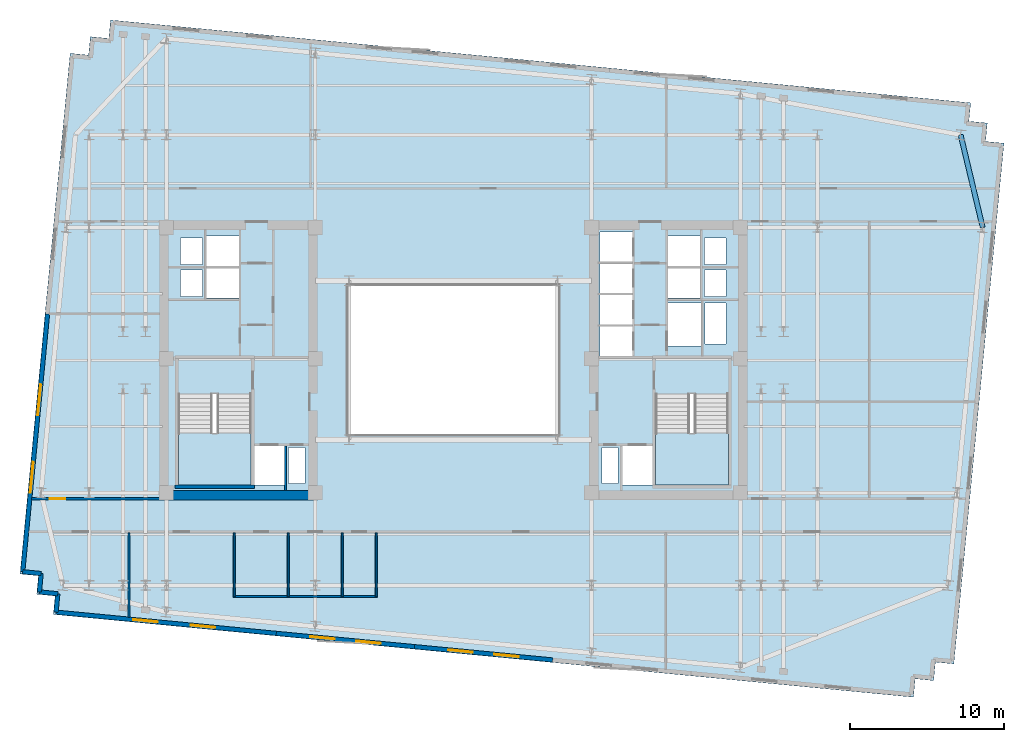
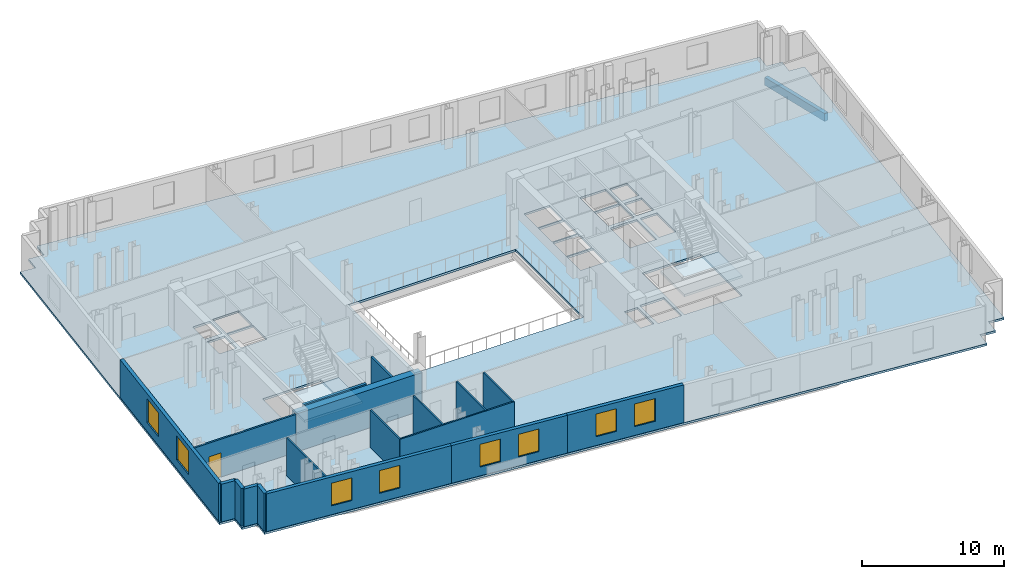
# One storey, part 3 of 9: 18 walls, 8 windows, 3 slabs, 1 beam, 1 door, 9 openings, 2 elements without a shape of their own.
"""IFC4 building model written with IfcOpenShell, lengths in metres."""

from ifc_helpers import new_model, si_unit, direction, frame, frame_2d, origin, origin_2d, place, context, subcontext, project, spatial, polyline, rectangle, outline, extrude, material, layer, layer_set, material_profile, profile_set, type_object, element, fill, aggregate, save


model = new_model("IFC4")

# Units and contexts
model_context = context("Model", 3, precision=1e-05, world=origin(), true_north=direction((0.0, 1.0)))
body_context = subcontext(model_context, "Body", "Model", "MODEL_VIEW")
ifc_project = project(units=[si_unit("LENGTHUNIT", "METRE"), si_unit("AREAUNIT", "SQUARE_METRE"), si_unit("VOLUMEUNIT", "CUBIC_METRE"), si_unit("PLANEANGLEUNIT", "RADIAN"), si_unit("MASSUNIT", "GRAM", prefix="KILO")], contexts=[model_context])

# Site, building, storey
site_placement = place(None, origin())
site = spatial("IfcSite", under=ifc_project, at=site_placement, CompositionType="ELEMENT")
building_placement = place(site_placement, origin())
building = spatial("IfcBuilding", under=site, at=building_placement, Name="Velakula Bourse", CompositionType="ELEMENT")
storey_placement = place(building_placement, frame((0.0, 0.0, 167.300048828125)))
storey = spatial("IfcBuildingStorey", under=building, at=storey_placement, Name="L45", CompositionType="ELEMENT", Elevation=167.300048828125)

# Beam
ifc_material_1 = material(Name="Precast concrete M45 (fck 45 MPa)", Category="concrete")
ifc_material_profile = material_profile(ifc_material_1, rectangle(XDim=0.320068359375, YDim=0.679931640625, at=origin_2d()), Name="Precast concrete M45 (fck 45 MPa)")
ifc_profile_set = profile_set([ifc_material_profile], Name="Precast concrete M45 (fck 45 MPa)")
beam_type = type_object("IfcBeamType", Name="SPN-BRICK-680", PredefinedType="SPANDREL", material=ifc_profile_set)
beam_placement = place(storey_placement, frame((34.30517578125, 8.60009765625, -0.52001953125), z_axis=(-0.232091371601, 0.972693988482, 0.0), x_axis=(-0.972693988482, -0.232091371601, 0.0)))
element("IfcBeam", 1, at=beam_placement, inside=storey, type_object=beam_type, Name="L45 Brick-Faced Precast Spandrel E3-E4", PredefinedType="SPANDREL", context=body_context, shape_type="SweptSolid", body=[
    extrude(rectangle(XDim=0.320068359375, YDim=0.679931640625, at=origin_2d()), origin(), (0.0, 0.0, 1.0), 6.16845703125),
])

# Stair, slab
ifc_material_2 = material(Name="Concrete M45 (fck 45 MPa)", Category="concrete")
stair_type = type_object("IfcStairType", Name="STR-DOG-390", PredefinedType="HALF_TURN_STAIR", material=ifc_material_2)
stair_1_placement = place(storey_placement, origin())
stair_1 = element("IfcStair", 2, at=stair_1_placement, inside=storey, type_object=stair_type, Name="L45 West Core Exit Stair ST-W1", PredefinedType="HALF_TURN_STAIR")
ifc_layer_1 = layer(ifc_material_2, 0.199951171875, Name="Concrete M45 (fck 45 MPa)", Category="concrete")
ifc_layer_set_1 = layer_set([ifc_layer_1], Name="Concrete M45 (fck 45 MPa)")
slab_type_1 = type_object("IfcSlabType", Name="SLB-STAIR-LND-200", PredefinedType="LANDING", material=ifc_layer_set_1)
slab_1_placement = place(storey_placement, frame((0.0, 0.0, 1.52490234375)))
slab_1 = element("IfcSlab", 3, at=slab_1_placement, type_object=slab_type_1, Name="ST-W1 landing 1", PredefinedType="LANDING", context=body_context, shape_type="SweptSolid", body=[
    extrude(outline(polyline([(-17.820068359375, -4.719970703125), (-17.820068359375, -8.10009765625), (-13.10009765625, -8.10009765625), (-13.10009765625, -4.719970703125), (-17.820068359375, -4.719970703125)])), origin(), (0.0, 0.0, 1.0), 0.199951171875),
])
aggregate(stair_1, [slab_1])

stair_2_placement = place(storey_placement, origin())
stair_2 = element("IfcStair", 4, at=stair_2_placement, inside=storey, type_object=stair_type, Name="L45 East Core Exit Stair ST-E1", PredefinedType="HALF_TURN_STAIR")
slab_2_placement = place(storey_placement, frame((0.0, 0.0, 1.52490234375)))
slab_2 = element("IfcSlab", 5, at=slab_2_placement, type_object=slab_type_1, Name="ST-E1 landing 1", PredefinedType="LANDING", context=body_context, shape_type="SweptSolid", body=[
    extrude(outline(polyline([(13.10009765625, -4.719970703125), (13.10009765625, -8.10009765625), (17.820068359375, -8.10009765625), (17.820068359375, -4.719970703125), (13.10009765625, -4.719970703125)])), origin(), (0.0, 0.0, 1.0), 0.199951171875),
])
aggregate(stair_2, [slab_2])

# Slab
ifc_material_3 = material(Name="Concrete M50 (fck 50 MPa)", Category="concrete")
ifc_layer_2 = layer(ifc_material_3, 0.179931640625, Name="Concrete M50 (fck 50 MPa)", Category="concrete")
ifc_layer_set_2 = layer_set([ifc_layer_2], Name="Concrete M50 (fck 50 MPa)")
slab_type_2 = type_object("IfcSlabType", Name="SLB-TWR-180", PredefinedType="FLOOR", material=ifc_layer_set_2)
slab_3_placement = place(storey_placement, frame((0.0, 0.0, -0.179931640625)))
element("IfcSlab", 6, at=slab_3_placement, inside=storey, type_object=slab_type_2, Name="L45 Suspended Structural Floor Slab", PredefinedType="FLOOR", context=body_context, shape_type="SweptSolid", body=[
    extrude(outline(polyline([(-25.92578125, -16.477294921875), (29.81640625, -21.844482421875), (29.931396484375, -20.650146484375), (31.1259765625, -20.76513671875), (31.240966796875, -19.570556640625), (32.435546875, -19.685791015625), (35.6845703125, 14.058349609375), (34.490234375, 14.17333984375), (34.605224609375, 15.36767578125), (33.41064453125, 15.482666015625), (33.525634765625, 16.67724609375), (-22.216552734375, 22.044677734375), (-22.33154296875, 20.85009765625), (-23.52587890625, 20.965087890625), (-23.640869140625, 19.770751953125), (-24.83544921875, 19.8857421875), (-28.084716796875, -13.858154296875), (-26.89013671875, -13.973388671875), (-27.005126953125, -15.167724609375), (-25.810791015625, -15.28271484375), (-25.92578125, -16.477294921875)]), holes=[polyline([(-17.820068359375, -8.10009765625), (-13.10009765625, -8.10009765625), (-13.10009765625, -2.199951171875), (-17.820068359375, -2.199951171875), (-17.820068359375, -8.10009765625)]), polyline([(13.10009765625, -8.10009765625), (17.820068359375, -8.10009765625), (17.820068359375, -2.199951171875), (13.10009765625, -2.199951171875), (13.10009765625, -8.10009765625)]), polyline([(-12.89990234375, -8.10009765625), (-10.949951171875, -8.10009765625), (-10.949951171875, -5.550048828125), (-12.89990234375, -5.550048828125), (-12.89990234375, -8.10009765625)]), polyline([(10.949951171875, -8.10009765625), (12.89990234375, -8.10009765625), (12.89990234375, -5.550048828125), (10.949951171875, -5.550048828125), (10.949951171875, -8.10009765625)]), polyline([(13.89990234375, 0.919921875), (16.050048828125, 0.919921875), (16.050048828125, 3.719970703125), (13.89990234375, 3.719970703125), (13.89990234375, 0.919921875)]), polyline([(-10.679931640625, -7.97998046875), (-9.6201171875, -7.97998046875), (-9.6201171875, -5.669921875), (-10.679931640625, -5.669921875), (-10.679931640625, -7.97998046875)]), polyline([(-17.679931640625, 4.139892578125), (-16.27001953125, 4.139892578125), (-16.27001953125, 5.85009765625), (-17.679931640625, 5.85009765625), (-17.679931640625, 4.139892578125)]), polyline([(-17.679931640625, 6.2099609375), (-16.27001953125, 6.2099609375), (-16.27001953125, 7.919921875), (-17.679931640625, 7.919921875), (-17.679931640625, 6.2099609375)]), polyline([(9.6201171875, -7.97998046875), (10.679931640625, -7.97998046875), (10.679931640625, -5.669921875), (9.6201171875, -5.669921875), (9.6201171875, -7.97998046875)]), polyline([(16.27001953125, 4.139892578125), (17.679931640625, 4.139892578125), (17.679931640625, 5.85009765625), (16.27001953125, 5.85009765625), (16.27001953125, 4.139892578125)]), polyline([(16.27001953125, 6.2099609375), (17.679931640625, 6.2099609375), (17.679931640625, 7.919921875), (16.27001953125, 7.919921875), (16.27001953125, 6.2099609375)]), polyline([(16.320068359375, 1.0400390625), (17.679931640625, 1.0400390625), (17.679931640625, 3.699951171875), (16.320068359375, 3.699951171875), (16.320068359375, 1.0400390625)]), polyline([(9.5, 0.280029296875), (11.60009765625, 0.280029296875), (11.60009765625, 2.199951171875), (9.5, 2.199951171875), (9.5, 0.280029296875)]), polyline([(9.5, 2.31005859375), (11.60009765625, 2.31005859375), (11.60009765625, 4.22998046875), (9.5, 4.22998046875), (9.5, 2.31005859375)]), polyline([(9.5, 4.340087890625), (11.60009765625, 4.340087890625), (11.60009765625, 6.260009765625), (9.5, 6.260009765625), (9.5, 4.340087890625)]), polyline([(9.5, 6.3701171875), (11.60009765625, 6.3701171875), (11.60009765625, 8.2900390625), (9.5, 8.2900390625), (9.5, 6.3701171875)]), polyline([(-16.0, 4.02001953125), (-13.89990234375, 4.02001953125), (-13.89990234375, 5.969970703125), (-16.0, 5.969970703125), (-16.0, 4.02001953125)]), polyline([(-16.0, 6.090087890625), (-13.89990234375, 6.090087890625), (-13.89990234375, 8.0400390625), (-16.0, 8.0400390625), (-16.0, 6.090087890625)]), polyline([(13.89990234375, 4.02001953125), (16.0, 4.02001953125), (16.0, 5.969970703125), (13.89990234375, 5.969970703125), (13.89990234375, 4.02001953125)]), polyline([(13.89990234375, 6.090087890625), (16.0, 6.090087890625), (16.0, 8.0400390625), (13.89990234375, 8.0400390625), (13.89990234375, 6.090087890625)]), polyline([(-6.800048828125, -4.800048828125), (6.800048828125, -4.800048828125), (6.800048828125, 4.800048828125), (-6.800048828125, 4.800048828125), (-6.800048828125, -4.800048828125)])]), origin(), (0.0, 0.0, 1.0), 0.179931640625),
])

# Walls
ifc_layer_3 = layer(ifc_material_3, 0.2099609375, Name="Concrete M50 (fck 50 MPa)", Category="concrete")
ifc_layer_set_3 = layer_set([ifc_layer_3], Name="Concrete M50 (fck 50 MPa)")
wall_type_1 = type_object("IfcWallType", Name="WL-CORE-210", PredefinedType="SHEAR", material=ifc_layer_set_3)
wall_1_placement = place(storey_placement, frame((-18.030029296875, -8.205078125, 0.0), z_axis=(0.0, 0.0, 1.0), x_axis=(1.0, 0.0, 0.0)))
element("IfcWall", 7, at=wall_1_placement, inside=storey, type_object=wall_type_1, Name="L45 Core W Stairwell Shear Wall S", PredefinedType="SHEAR", context=body_context, shape_type="SweptSolid", body=[
    extrude(rectangle(XDim=5.14013671875, YDim=0.2099609375, at=frame_2d((2.570068359375, 0.0))), origin(), (0.0, 0.0, 1.0), 3.27001953125),
])
ifc_material_4 = material(Name="Concrete M70 (fck 70 MPa)", Category="concrete")
ifc_layer_4 = layer(ifc_material_4, 0.60009765625, Name="Concrete M70 (fck 70 MPa)", Category="concrete")
ifc_layer_set_4 = layer_set([ifc_layer_4], Name="Concrete M70 (fck 70 MPa)")
wall_type_2 = type_object("IfcWallType", Name="WL-CORE-600", PredefinedType="SHEAR", material=ifc_layer_set_4)
wall_2_placement = place(storey_placement, frame((-19.050048828125, -8.75, 0.0), z_axis=(0.0, 0.0, 1.0), x_axis=(1.0, 0.0, 0.0)))
element("IfcWall", 8, at=wall_2_placement, inside=storey, type_object=wall_type_2, Name="L45 Core W Shear Wall S", PredefinedType="SHEAR", context=body_context, shape_type="SweptSolid", body=[
    extrude(rectangle(XDim=10.25, YDim=0.60009765625, at=frame_2d((5.125, 0.0))), origin(), (0.0, 0.0, 1.0), 3.27001953125),
])

# Wall, openings, windows
ifc_material_5 = material(Name="Red kilned clay facing brick masonry", Category="masonry")
ifc_layer_5 = layer(ifc_material_5, 0.280029296875, Name="Red kilned clay facing brick masonry", Category="masonry")
ifc_layer_set_5 = layer_set([ifc_layer_5], Name="Red kilned clay facing brick masonry")
wall_type_3 = type_object("IfcWallType", Name="WL-EXT-BRK-280", PredefinedType="STANDARD", material=ifc_layer_set_5)
wall_3_placement = place(storey_placement, frame((-11.47705078125, -17.707763671875, 0.0), z_axis=(0.0, 0.0, 1.0), x_axis=(-0.995395762701, 0.095850276977, 0.0)))
wall_3 = element("IfcWall", 9, at=wall_3_placement, inside=storey, type_object=wall_type_3, Name="L45 S Brick Spandrel Wall B1", PredefinedType="STANDARD", context=body_context, shape_type="SweptSolid", body=[
    extrude(rectangle(XDim=14.340087890625, YDim=0.280029296875, at=frame_2d((7.169921875, 0.0))), origin(), (0.0, 0.0, 1.0), 3.25),
])
opening_1_placement = place(wall_3_placement, frame((3.97998046875, 0.0, 0.760009765625)))
opening_1 = element("IfcOpeningElement", 10, at=opening_1_placement, cuts=wall_3, Name="Opening W-02", PredefinedType="OPENING", context=body_context, shape_type="SweptSolid", body=[
    extrude(rectangle(XDim=1.60009765625, YDim=1.949951171875, at=frame_2d((0.800048828125, 0.97509765625))), frame((0.0, 0.14990234375, 0.0), z_axis=(0.0, -1.0, 0.0), x_axis=(1.0, 0.0, 0.0)), (0.0, 0.0, 1.0), 0.300048828125),
])
opening_2_placement = place(wall_3_placement, frame((7.7099609375, 0.0, 0.760009765625)))
opening_2 = element("IfcOpeningElement", 11, at=opening_2_placement, cuts=wall_3, Name="Opening W-02", PredefinedType="OPENING", context=body_context, shape_type="SweptSolid", body=[
    extrude(rectangle(XDim=1.60009765625, YDim=1.949951171875, at=frame_2d((0.800048828125, 0.97509765625))), frame((0.0, 0.14990234375, 0.0), z_axis=(0.0, -1.0, 0.0), x_axis=(1.0, 0.0, 0.0)), (0.0, 0.0, 1.0), 0.300048828125),
])
ifc_material_6 = material(Name="Double-glazed solar-control Low-E glass", Category="glass")
window_type_1 = type_object("IfcWindowType", Name="WIN-TWR-1600x2100", PartitioningType="SINGLE_PANEL", PredefinedType="WINDOW", material=ifc_material_6)
window_1_placement = place(opening_1_placement, origin())
window_1 = element("IfcWindow", 12, at=window_1_placement, inside=storey, type_object=window_type_1, Name="L45 Deep-Set Recessed Window 1", OverallHeight=1.949951171875, OverallWidth=1.60009765625, PartitioningType="SINGLE_PANEL", PredefinedType="WINDOW", context=body_context, shape_type="SweptSolid", body=[
    extrude(rectangle(XDim=1.60009765625, YDim=1.949951171875, at=frame_2d((0.800048828125, 0.97509765625))), frame((0.0, 0.030029296875, 0.0), z_axis=(0.0, -1.0, 0.0), x_axis=(1.0, 0.0, 0.0)), (0.0, 0.0, 1.0), 0.06005859375),
])
fill(opening_1, window_1)
window_2_placement = place(opening_2_placement, origin())
window_2 = element("IfcWindow", 13, at=window_2_placement, inside=storey, type_object=window_type_1, Name="L45 Deep-Set Recessed Window 2", OverallHeight=1.949951171875, OverallWidth=1.60009765625, PartitioningType="SINGLE_PANEL", PredefinedType="WINDOW", context=body_context, shape_type="SweptSolid", body=[
    extrude(rectangle(XDim=1.60009765625, YDim=1.949951171875, at=frame_2d((0.800048828125, 0.97509765625))), frame((0.0, 0.030029296875, 0.0), z_axis=(0.0, -1.0, 0.0), x_axis=(1.0, 0.0, 0.0)), (0.0, 0.0, 1.0), 0.06005859375),
])
fill(opening_2, window_2)

wall_4_placement = place(storey_placement, frame((-2.5185546875, -18.5703125, 0.0), z_axis=(0.0, 0.0, 1.0), x_axis=(-0.995396794462, 0.09583956164, 0.0)))
wall_4 = element("IfcWall", 14, at=wall_4_placement, inside=storey, type_object=wall_type_3, Name="L45 S Brick Spandrel Wall B2", PredefinedType="STANDARD", context=body_context, shape_type="SweptSolid", body=[
    extrude(rectangle(XDim=9.0, YDim=0.280029296875, at=frame_2d((4.5, 0.0))), origin(), (0.0, 0.0, 1.0), 3.25),
])
opening_3_placement = place(wall_4_placement, frame((2.199951171875, 0.0, 0.760009765625)))
opening_3 = element("IfcOpeningElement", 15, at=opening_3_placement, cuts=wall_4, Name="Opening W-02", PredefinedType="OPENING", context=body_context, shape_type="SweptSolid", body=[
    extrude(rectangle(XDim=1.60009765625, YDim=1.949951171875, at=frame_2d((0.800048828125, 0.97509765625))), frame((0.0, 0.14990234375, 0.0), z_axis=(0.0, -1.0, 0.0), x_axis=(1.0, 0.0, 0.0)), (0.0, 0.0, 1.0), 0.300048828125),
])
opening_4_placement = place(wall_4_placement, frame((5.199951171875, 0.0, 0.760009765625)))
opening_4 = element("IfcOpeningElement", 16, at=opening_4_placement, cuts=wall_4, Name="Opening W-02", PredefinedType="OPENING", context=body_context, shape_type="SweptSolid", body=[
    extrude(rectangle(XDim=1.60009765625, YDim=1.949951171875, at=frame_2d((0.800048828125, 0.97509765625))), frame((0.0, 0.14990234375, 0.0), z_axis=(0.0, -1.0, 0.0), x_axis=(1.0, 0.0, 0.0)), (0.0, 0.0, 1.0), 0.300048828125),
])
window_3_placement = place(opening_3_placement, origin())
window_3 = element("IfcWindow", 17, at=window_3_placement, inside=storey, type_object=window_type_1, Name="L45 Deep-Set Recessed Window 1", OverallHeight=1.949951171875, OverallWidth=1.60009765625, PartitioningType="SINGLE_PANEL", PredefinedType="WINDOW", context=body_context, shape_type="SweptSolid", body=[
    extrude(rectangle(XDim=1.60009765625, YDim=1.949951171875, at=frame_2d((0.800048828125, 0.97509765625))), frame((0.0, 0.030029296875, 0.0), z_axis=(0.0, -1.0, 0.0), x_axis=(1.0, 0.0, 0.0)), (0.0, 0.0, 1.0), 0.06005859375),
])
fill(opening_3, window_3)
window_4_placement = place(opening_4_placement, origin())
window_4 = element("IfcWindow", 18, at=window_4_placement, inside=storey, type_object=window_type_1, Name="L45 Deep-Set Recessed Window 2", OverallHeight=1.949951171875, OverallWidth=1.60009765625, PartitioningType="SINGLE_PANEL", PredefinedType="WINDOW", context=body_context, shape_type="SweptSolid", body=[
    extrude(rectangle(XDim=1.60009765625, YDim=1.949951171875, at=frame_2d((0.800048828125, 0.97509765625))), frame((0.0, 0.030029296875, 0.0), z_axis=(0.0, -1.0, 0.0), x_axis=(1.0, 0.0, 0.0)), (0.0, 0.0, 1.0), 0.06005859375),
])
fill(opening_4, window_4)

wall_5_placement = place(storey_placement, frame((6.43994140625, -19.432861328125, 0.0), z_axis=(0.0, 0.0, 1.0), x_axis=(-0.995396794462, 0.09583956164, 0.0)))
wall_5 = element("IfcWall", 19, at=wall_5_placement, inside=storey, type_object=wall_type_3, Name="L45 S Brick Spandrel Wall B3", PredefinedType="STANDARD", context=body_context, shape_type="SweptSolid", body=[
    extrude(rectangle(XDim=9.0, YDim=0.280029296875, at=frame_2d((4.5, 0.0))), origin(), (0.0, 0.0, 1.0), 3.25),
])
opening_5_placement = place(wall_5_placement, frame((2.199951171875, 0.0, 0.760009765625)))
opening_5 = element("IfcOpeningElement", 20, at=opening_5_placement, cuts=wall_5, Name="Opening W-02", PredefinedType="OPENING", context=body_context, shape_type="SweptSolid", body=[
    extrude(rectangle(XDim=1.60009765625, YDim=1.949951171875, at=frame_2d((0.800048828125, 0.97509765625))), frame((0.0, 0.14990234375, 0.0), z_axis=(0.0, -1.0, 0.0), x_axis=(1.0, 0.0, 0.0)), (0.0, 0.0, 1.0), 0.300048828125),
])
opening_6_placement = place(wall_5_placement, frame((5.199951171875, 0.0, 0.760009765625)))
opening_6 = element("IfcOpeningElement", 21, at=opening_6_placement, cuts=wall_5, Name="Opening W-02", PredefinedType="OPENING", context=body_context, shape_type="SweptSolid", body=[
    extrude(rectangle(XDim=1.60009765625, YDim=1.949951171875, at=frame_2d((0.800048828125, 0.97509765625))), frame((0.0, 0.14990234375, 0.0), z_axis=(0.0, -1.0, 0.0), x_axis=(1.0, 0.0, 0.0)), (0.0, 0.0, 1.0), 0.300048828125),
])
window_5_placement = place(opening_5_placement, origin())
window_5 = element("IfcWindow", 22, at=window_5_placement, inside=storey, type_object=window_type_1, Name="L45 Deep-Set Recessed Window 1", OverallHeight=1.949951171875, OverallWidth=1.60009765625, PartitioningType="SINGLE_PANEL", PredefinedType="WINDOW", context=body_context, shape_type="SweptSolid", body=[
    extrude(rectangle(XDim=1.60009765625, YDim=1.949951171875, at=frame_2d((0.800048828125, 0.97509765625))), frame((0.0, 0.030029296875, 0.0), z_axis=(0.0, -1.0, 0.0), x_axis=(1.0, 0.0, 0.0)), (0.0, 0.0, 1.0), 0.06005859375),
])
fill(opening_5, window_5)
window_6_placement = place(opening_6_placement, origin())
window_6 = element("IfcWindow", 23, at=window_6_placement, inside=storey, type_object=window_type_1, Name="L45 Deep-Set Recessed Window 2", OverallHeight=1.949951171875, OverallWidth=1.60009765625, PartitioningType="SINGLE_PANEL", PredefinedType="WINDOW", context=body_context, shape_type="SweptSolid", body=[
    extrude(rectangle(XDim=1.60009765625, YDim=1.949951171875, at=frame_2d((0.800048828125, 0.97509765625))), frame((0.0, 0.030029296875, 0.0), z_axis=(0.0, -1.0, 0.0), x_axis=(1.0, 0.0, 0.0)), (0.0, 0.0, 1.0), 0.06005859375),
])
fill(opening_6, window_6)

wall_6_placement = place(storey_placement, frame((-27.909912109375, -13.71435546875, 0.0), z_axis=(0.0, 0.0, 1.0), x_axis=(0.095839027265, 0.995396845913, 0.0)))
wall_6 = element("IfcWall", 24, at=wall_6_placement, inside=storey, type_object=wall_type_3, Name="L45 W Brick End Wall W1", PredefinedType="STANDARD", context=body_context, shape_type="SweptSolid", body=[
    extrude(rectangle(XDim=16.7900390625, YDim=0.280029296875, at=frame_2d((8.39501953125, 0.0))), origin(), (0.0, 0.0, 1.0), 3.25),
])
opening_7_placement = place(wall_6_placement, frame((5.146728515625, 0.0, 0.760009765625)))
opening_7 = element("IfcOpeningElement", 25, at=opening_7_placement, cuts=wall_6, Name="Opening W-05", PredefinedType="OPENING", context=body_context, shape_type="SweptSolid", body=[
    extrude(rectangle(XDim=2.0, YDim=2.050048828125, at=frame_2d((1.0, 1.02490234375))), frame((0.0, 0.14990234375, 0.0), z_axis=(0.0, -1.0, 0.0), x_axis=(1.0, 0.0, 0.0)), (0.0, 0.0, 1.0), 0.300048828125),
])
opening_8_placement = place(wall_6_placement, frame((10.193359375, 0.0, 0.760009765625)))
opening_8 = element("IfcOpeningElement", 26, at=opening_8_placement, cuts=wall_6, Name="Opening W-05", PredefinedType="OPENING", context=body_context, shape_type="SweptSolid", body=[
    extrude(rectangle(XDim=2.0, YDim=2.050048828125, at=frame_2d((1.0, 1.02490234375))), frame((0.0, 0.14990234375, 0.0), z_axis=(0.0, -1.0, 0.0), x_axis=(1.0, 0.0, 0.0)), (0.0, 0.0, 1.0), 0.300048828125),
])
window_type_2 = type_object("IfcWindowType", Name="WIN-TWR-2000x2200", PartitioningType="DOUBLE_PANEL_VERTICAL", PredefinedType="WINDOW", material=ifc_material_6)
window_7_placement = place(opening_7_placement, origin())
window_7 = element("IfcWindow", 27, at=window_7_placement, inside=storey, type_object=window_type_2, Name="L45 Deep-Set Recessed Window 1", OverallHeight=2.050048828125, OverallWidth=2.0, PartitioningType="DOUBLE_PANEL_VERTICAL", PredefinedType="WINDOW", context=body_context, shape_type="SweptSolid", body=[
    extrude(rectangle(XDim=2.0, YDim=2.050048828125, at=frame_2d((1.0, 1.02490234375))), frame((0.0, 0.030029296875, 0.0), z_axis=(0.0, -1.0, 0.0), x_axis=(1.0, 0.0, 0.0)), (0.0, 0.0, 1.0), 0.06005859375),
])
fill(opening_7, window_7)
window_8_placement = place(opening_8_placement, origin())
window_8 = element("IfcWindow", 28, at=window_8_placement, inside=storey, type_object=window_type_2, Name="L45 Deep-Set Recessed Window 2", OverallHeight=2.050048828125, OverallWidth=2.0, PartitioningType="DOUBLE_PANEL_VERTICAL", PredefinedType="WINDOW", context=body_context, shape_type="SweptSolid", body=[
    extrude(rectangle(XDim=2.0, YDim=2.050048828125, at=frame_2d((1.0, 1.02490234375))), frame((0.0, 0.030029296875, 0.0), z_axis=(0.0, -1.0, 0.0), x_axis=(1.0, 0.0, 0.0)), (0.0, 0.0, 1.0), 0.06005859375),
])
fill(opening_8, window_8)

# Walls
wall_7_placement = place(storey_placement, frame((-27.909912109375, -13.71435546875, 0.0), z_axis=(0.0, 0.0, 1.0), x_axis=(0.995397091755, -0.095836473879, 0.0)))
element("IfcWall", 29, at=wall_7_placement, inside=storey, type_object=wall_type_3, Name="L45 Serrated Corner Brick Wall SW-1", PredefinedType="STANDARD", context=body_context, shape_type="SweptSolid", body=[
    extrude(rectangle(XDim=1.199951171875, YDim=0.280029296875, at=frame_2d((0.60009765625, 0.0))), origin(), (0.0, 0.0, 1.0), 3.25),
])
for number, where, z_axis, x_axis, name in (
    (30, (-26.715576171875, -13.829345703125, 0.0), (0.0, 0.0, 1.0), (-0.095817067274, -0.995398960025, 0.0), "L45 Serrated Corner Brick Wall SW-2"),
    (31, (-26.83056640625, -15.02392578125, 0.0), (0.0, 0.0, 1.0), (0.995398960025, -0.095817067274, 0.0), "L45 Serrated Corner Brick Wall SW-3"),
):
    element("IfcWall", number, at=place(storey_placement, frame(where, z_axis=z_axis, x_axis=x_axis)), inside=storey, type_object=wall_type_3, Name=name, PredefinedType="STANDARD", context=body_context, shape_type="SweptSolid", body=[
        extrude(rectangle(XDim=1.2001953125, YDim=0.280029296875, at=frame_2d((0.60009765625, 0.0))), origin(), (0.0, 0.0, 1.0), 3.25),
    ])
wall_8_placement = place(storey_placement, frame((-25.635986328125, -15.138916015625, 0.0), z_axis=(0.0, 0.0, 1.0), x_axis=(-0.096038073607, -0.995377661201, 0.0)))
element("IfcWall", 32, at=wall_8_placement, inside=storey, type_object=wall_type_3, Name="L45 Serrated Corner Brick Wall SW-4", PredefinedType="STANDARD", context=body_context, shape_type="SweptSolid", body=[
    extrude(rectangle(XDim=1.199951171875, YDim=0.280029296875, at=frame_2d((0.60009765625, 0.0))), origin(), (0.0, 0.0, 1.0), 3.25),
])
ifc_material_7 = material(Name="Fire-rated double-layer gypsum drywall partition", Category="gypsum")
ifc_layer_6 = layer(ifc_material_7, 0.1201171875, Name="Fire-rated double-layer gypsum drywall partition", Category="gypsum")
ifc_layer_set_6 = layer_set([ifc_layer_6], Name="Fire-rated double-layer gypsum drywall partition")
wall_type_4 = type_object("IfcWallType", Name="WL-PART-120", PredefinedType="STANDARD", material=ifc_layer_set_6)
wall_9_placement = place(storey_placement, frame((-14.260009765625, -15.320068359375, 0.0), z_axis=(0.0, 0.0, 1.0), x_axis=(1.0, 0.0, 0.0)))
element("IfcWall", 33, at=wall_9_placement, inside=storey, type_object=wall_type_4, Name="L45 Interior Partition WL-WC-L45-BACK", PredefinedType="STANDARD", context=body_context, shape_type="SweptSolid", body=[
    extrude(rectangle(XDim=9.320068359375, YDim=0.1201171875, at=frame_2d((4.66015625, 0.0))), origin(), (0.0, 0.0, 1.0), 3.25),
])
for number, where, z_axis, x_axis, name in (
    (34, (-14.199951171875, -15.320068359375, 0.0), (0.0, 0.0, 1.0), (0.0, 1.0, 0.0), "L45 Interior Partition WL-WC-L45-V1"),
    (35, (-10.699951171875, -15.320068359375, 0.0), (0.0, 0.0, 1.0), (0.0, 1.0, 0.0), "L45 Interior Partition WL-WC-L45-V2"),
    (36, (-7.199951171875, -15.320068359375, 0.0), (0.0, 0.0, 1.0), (0.0, 1.0, 0.0), "L45 Interior Partition WL-WC-L45-V3"),
    (37, (-5.0, -15.320068359375, 0.0), (0.0, 0.0, 1.0), (0.0, 1.0, 0.0), "L45 Interior Partition WL-WC-L45-V4"),
):
    element("IfcWall", number, at=place(storey_placement, frame(where, z_axis=z_axis, x_axis=x_axis)), inside=storey, type_object=wall_type_4, Name=name, PredefinedType="STANDARD", context=body_context, shape_type="SweptSolid", body=[
        extrude(rectangle(XDim=4.130126953125, YDim=0.1201171875, at=frame_2d((2.06494140625, 0.0))), origin(), (0.0, 0.0, 1.0), 3.25),
    ])
wall_10_placement = place(storey_placement, frame((-21.02392578125, -16.66796875, 0.0), z_axis=(0.0, 0.0, 1.0), x_axis=(0.0, 1.0, 0.0)))
element("IfcWall", 38, at=wall_10_placement, inside=storey, type_object=wall_type_4, Name="L45 Interior Partition WL-INT-L45-SL-D5", PredefinedType="STANDARD", context=body_context, shape_type="SweptSolid", body=[
    extrude(rectangle(XDim=5.47802734375, YDim=0.1201171875, at=frame_2d((2.739013671875, 0.0))), origin(), (0.0, 0.0, 1.0), 3.25),
])

# Wall, opening, door
ifc_layer_7 = layer(ifc_material_7, 0.139892578125, Name="Fire-rated double-layer gypsum drywall partition", Category="gypsum")
ifc_layer_set_7 = layer_set([ifc_layer_7], Name="Fire-rated double-layer gypsum drywall partition")
wall_type_5 = type_object("IfcWallType", Name="WL-PART-140", PredefinedType="STANDARD", material=ifc_layer_set_7)
wall_11_placement = place(storey_placement, frame((-27.33349609375, -8.97998046875, 0.0), z_axis=(0.0, 0.0, 1.0), x_axis=(1.0, 0.0, 0.0)))
wall_11 = element("IfcWall", 39, at=wall_11_placement, inside=storey, type_object=wall_type_5, Name="L45 Interior Partition WL-INT-L45-W-SC", PredefinedType="STANDARD", context=body_context, shape_type="SweptSolid", body=[
    extrude(rectangle(XDim=8.283447265625, YDim=0.139892578125, at=frame_2d((4.1416015625, 0.0))), origin(), (0.0, 0.0, 1.0), 3.25),
])
opening_9_placement = place(wall_11_placement, frame((1.17724609375, 0.0, 0.0)))
opening_9 = element("IfcOpeningElement", 40, at=opening_9_placement, cuts=wall_11, Name="Opening D-OF1", PredefinedType="OPENING", context=body_context, shape_type="SweptSolid", body=[
    extrude(rectangle(XDim=1.0, YDim=2.080078125, at=frame_2d((0.5, 1.0400390625))), frame((0.0, 0.079833984375, 0.0), z_axis=(0.0, -1.0, 0.0), x_axis=(1.0, 0.0, 0.0)), (0.0, 0.0, 1.0), 0.159912109375),
])
ifc_material_8 = material(Name="Fire-rated hardwood flush architectural door", Category="wood")
door_type = type_object("IfcDoorType", Name="DR-OFF-1000", OperationType="NOTDEFINED", PredefinedType="DOOR", material=ifc_material_8)
door_placement = place(opening_9_placement, origin())
door = element("IfcDoor", 41, at=door_placement, inside=storey, type_object=door_type, Name="L45 Algorithmic Dealing Workspace Door", OperationType="SINGLE_SWING_RIGHT", OverallHeight=2.080078125, OverallWidth=1.0, PredefinedType="DOOR", context=body_context, shape_type="SweptSolid", body=[
    extrude(rectangle(XDim=1.0, YDim=2.080078125, at=frame_2d((0.5, 1.0400390625))), frame((0.0, 0.02490234375, 0.0), z_axis=(0.0, -1.0, 0.0), x_axis=(1.0, 0.0, 0.0)), (0.0, 0.0, 1.0), 0.050048828125),
])
fill(opening_9, door)

# Wall
ifc_material_9 = material(Name="Autoclaved aerated concrete blockwork masonry", Category="masonry")
ifc_layer_8 = layer(ifc_material_9, 0.14990234375, Name="Autoclaved aerated concrete blockwork masonry", Category="masonry")
ifc_layer_set_8 = layer_set([ifc_layer_8], Name="Autoclaved aerated concrete blockwork masonry")
wall_type_6 = type_object("IfcWallType", Name="WL-SHAFT-150", PredefinedType="STANDARD", material=ifc_layer_set_8)
wall_12_placement = place(storey_placement, frame((-10.875, -8.449951171875, 0.0), z_axis=(0.0, 0.0, 1.0), x_axis=(0.0, 1.0, 0.0)))
element("IfcWall", 42, at=wall_12_placement, inside=storey, type_object=wall_type_6, Name="L45 Interior Partition WL-CRW-L45-FR-DIV", PredefinedType="STANDARD", context=body_context, shape_type="SweptSolid", body=[
    extrude(rectangle(XDim=2.89990234375, YDim=0.14990234375, at=frame_2d((1.449951171875, 0.0))), origin(), (0.0, 0.0, 1.0), 3.25),
])

save(model, "model.ifc")
